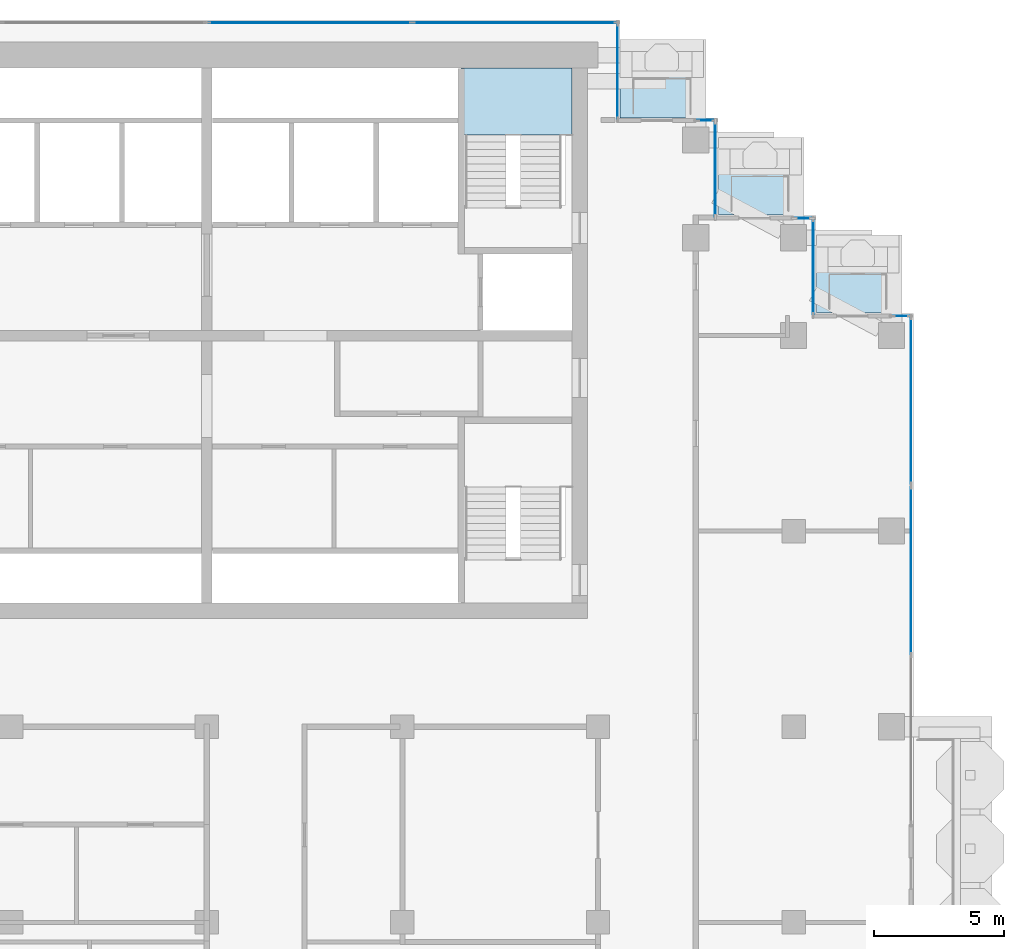
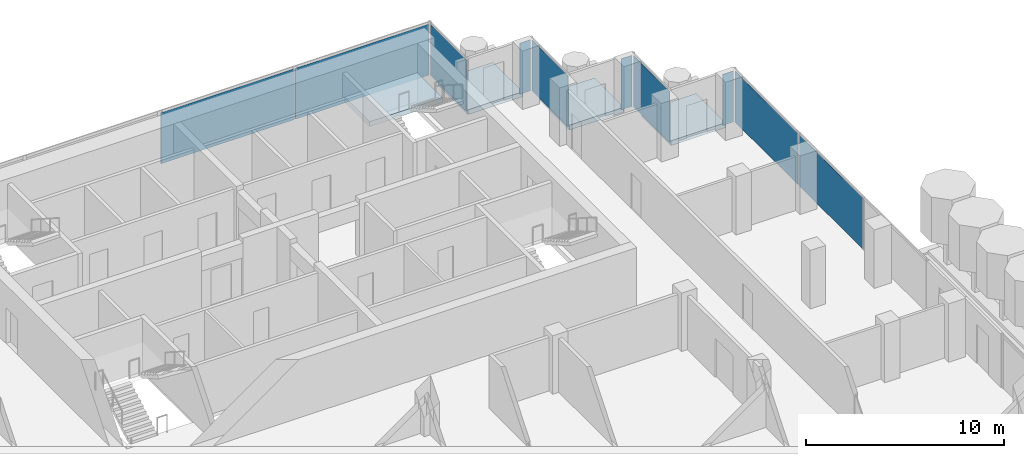
# One storey, part 10 of 18: 10 plates, 4 slabs, 10 elements without a shape of their own.
"""IFC4 building model written with IfcOpenShell, lengths in metres."""

from ifc_helpers import new_model, si_unit, direction, frame, origin, origin_2d, place, context, subcontext, project, spatial, polyline, rectangle, outline, extrude, material, layer, layer_set, type_object, element, aggregate, save


model = new_model("IFC4")

# Units and contexts
model_context = context("Model", 3, precision=1e-05, world=origin(), true_north=direction((0.0, 1.0)))
body_context = subcontext(model_context, "Body", "Model", "MODEL_VIEW")
ifc_project = project(units=[si_unit("LENGTHUNIT", "METRE"), si_unit("AREAUNIT", "SQUARE_METRE"), si_unit("VOLUMEUNIT", "CUBIC_METRE"), si_unit("PLANEANGLEUNIT", "RADIAN"), si_unit("MASSUNIT", "GRAM", prefix="KILO")], contexts=[model_context])

# Site, building, storey
site_placement = place(None, origin())
site = spatial("IfcSite", under=ifc_project, at=site_placement, CompositionType="ELEMENT")
building_placement = place(site_placement, origin())
building = spatial("IfcBuilding", under=site, at=building_placement, Name="Pilkhan Gate Tower", CompositionType="ELEMENT")
storey_placement = place(building_placement, frame((0.0, 0.0, 199.5)))
storey = spatial("IfcBuildingStorey", under=building, at=storey_placement, Name="L51", CompositionType="ELEMENT", Elevation=199.5)

# Slabs
ifc_material_1 = material(Name="Concrete C60/75", Category="concrete")
ifc_layer_1 = layer(ifc_material_1, 0.300048828125)
ifc_layer_set_1 = layer_set([ifc_layer_1], Name="Balcony tray slab TR300")
slab_type_1 = type_object("IfcSlabType", Name="Balcony tray slab TR300", PredefinedType="FLOOR", material=ifc_layer_set_1)
slab_1_placement = place(storey_placement, frame((0.0, 0.0, -0.300048828125)))
element("IfcSlab", 1, at=slab_1_placement, inside=storey, type_object=slab_type_1, Name="Balcony tray L51 N", PredefinedType="FLOOR", context=body_context, shape_type="SweptSolid", body=[
    extrude(outline(polyline([(94.050048828125, 90.85009765625), (94.050048828125, 93.85009765625), (90.85009765625, 93.85009765625), (90.85009765625, 90.85009765625), (94.050048828125, 90.85009765625)])), origin(), (0.0, 0.0, 1.0), 0.300048828125),
])
slab_2_placement = place(storey_placement, frame((0.0, 0.0, -0.300048828125)))
element("IfcSlab", 2, at=slab_2_placement, inside=storey, type_object=slab_type_1, Name="Balcony tray L51 N", PredefinedType="FLOOR", context=body_context, shape_type="SweptSolid", body=[
    extrude(outline(polyline([(97.800048828125, 87.1201171875), (97.800048828125, 90.10009765625), (94.6201171875, 90.10009765625), (94.6201171875, 87.1201171875), (97.800048828125, 87.1201171875)])), origin(), (0.0, 0.0, 1.0), 0.300048828125),
])
slab_3_placement = place(storey_placement, frame((0.0, 0.0, -0.300048828125)))
element("IfcSlab", 3, at=slab_3_placement, inside=storey, type_object=slab_type_1, Name="Balcony tray L51 N", PredefinedType="FLOOR", context=body_context, shape_type="SweptSolid", body=[
    extrude(outline(polyline([(101.550048828125, 83.3701171875), (101.550048828125, 86.35009765625), (98.3701171875, 86.35009765625), (98.3701171875, 83.3701171875), (101.550048828125, 83.3701171875)])), origin(), (0.0, 0.0, 1.0), 0.300048828125),
])

# Curtain wall, plate
ifc_material_2 = material(Name="Pale anodised aluminium, clear low-iron double glazing", Category="aluminium")
curtain_wall_type = type_object("IfcCurtainWallType", Name="Office unitised curtain wall CW-O2", PredefinedType="USERDEFINED", material=ifc_material_2)
curtain_wall_1_placement = place(storey_placement, origin())
curtain_wall_1 = element("IfcCurtainWall", 4, at=curtain_wall_1_placement, inside=storey, type_object=curtain_wall_type, Name="Office unitised curtain wall CW-O2 L51 E", ObjectType="UNITISED CURTAIN WALL", PredefinedType="USERDEFINED")
ifc_material_3 = material(Name="Clear low-iron double glazing", Category="glass")
ifc_layer_2 = layer(ifc_material_3, 0.031982421875)
ifc_layer_set_2 = layer_set([ifc_layer_2], Name="Glass panel CW-O2 32")
plate_type = type_object("IfcPlateType", Name="Glass panel CW-O2 32", PredefinedType="CURTAIN_PANEL", material=ifc_layer_set_2)
plate_1_placement = place(storey_placement, frame((102.0, 73.483642578125, 0.0), z_axis=(0.0, 0.0, 1.0), x_axis=(0.0, 1.0, 0.0)))
plate_1 = element("IfcPlate", 5, at=plate_1_placement, type_object=plate_type, Name="CW-O2 panel 2", PredefinedType="CURTAIN_PANEL", context=body_context, shape_type="SweptSolid", body=[
    extrude(rectangle(XDim=6.402587890625, YDim=0.031982421875, at=origin_2d()), origin(), (0.0, 0.0, 1.0), 3.135009765625),
])
aggregate(curtain_wall_1, [plate_1])

curtain_wall_2_placement = place(storey_placement, origin())
curtain_wall_2 = element("IfcCurtainWall", 6, at=curtain_wall_2_placement, inside=storey, type_object=curtain_wall_type, Name="Office unitised curtain wall CW-O2 L51 E", ObjectType="UNITISED CURTAIN WALL", PredefinedType="USERDEFINED")
plate_2_placement = place(storey_placement, frame((102.0, 80.0, 0.0), z_axis=(0.0, 0.0, 1.0), x_axis=(0.0, 1.0, 0.0)))
plate_2 = element("IfcPlate", 7, at=plate_2_placement, type_object=plate_type, Name="CW-O2 panel 1", PredefinedType="CURTAIN_PANEL", context=body_context, shape_type="SweptSolid", body=[
    extrude(rectangle(XDim=6.3701171875, YDim=0.031982421875, at=origin_2d()), origin(), (0.0, 0.0, 1.0), 3.135009765625),
])
aggregate(curtain_wall_2, [plate_2])

curtain_wall_3_placement = place(storey_placement, origin())
curtain_wall_3 = element("IfcCurtainWall", 8, at=curtain_wall_3_placement, inside=storey, type_object=curtain_wall_type, Name="Office unitised curtain wall CW-O2 L51 N", ObjectType="UNITISED CURTAIN WALL", PredefinedType="USERDEFINED")
plate_3_placement = place(storey_placement, frame((101.625, 83.25, 0.0), z_axis=(0.0, 0.0, 1.0), x_axis=(1.0, 0.0, 0.0)))
plate_3 = element("IfcPlate", 9, at=plate_3_placement, type_object=plate_type, Name="CW-O2 panel 1", PredefinedType="CURTAIN_PANEL", context=body_context, shape_type="SweptSolid", body=[
    extrude(rectangle(XDim=0.6201171875, YDim=0.031982421875, at=origin_2d()), origin(), (0.0, 0.0, 1.0), 3.135009765625),
])
aggregate(curtain_wall_3, [plate_3])

curtain_wall_4_placement = place(storey_placement, origin())
curtain_wall_4 = element("IfcCurtainWall", 10, at=curtain_wall_4_placement, inside=storey, type_object=curtain_wall_type, Name="Office unitised curtain wall CW-O2 L51 E", ObjectType="UNITISED CURTAIN WALL", PredefinedType="USERDEFINED")
plate_4_placement = place(storey_placement, frame((98.25, 85.125, 0.0), z_axis=(0.0, 0.0, 1.0), x_axis=(0.0, 1.0, 0.0)))
plate_4 = element("IfcPlate", 11, at=plate_4_placement, type_object=plate_type, Name="CW-O2 panel 1", PredefinedType="CURTAIN_PANEL", context=body_context, shape_type="SweptSolid", body=[
    extrude(rectangle(XDim=3.6201171875, YDim=0.031982421875, at=origin_2d()), origin(), (0.0, 0.0, 1.0), 3.135009765625),
])
aggregate(curtain_wall_4, [plate_4])

curtain_wall_5_placement = place(storey_placement, origin())
curtain_wall_5 = element("IfcCurtainWall", 12, at=curtain_wall_5_placement, inside=storey, type_object=curtain_wall_type, Name="Office unitised curtain wall CW-O2 L51 N", ObjectType="UNITISED CURTAIN WALL", PredefinedType="USERDEFINED")
plate_5_placement = place(storey_placement, frame((97.875, 87.0, 0.0), z_axis=(0.0, 0.0, 1.0), x_axis=(1.0, 0.0, 0.0)))
plate_5 = element("IfcPlate", 13, at=plate_5_placement, type_object=plate_type, Name="CW-O2 panel 1", PredefinedType="CURTAIN_PANEL", context=body_context, shape_type="SweptSolid", body=[
    extrude(rectangle(XDim=0.6201171875, YDim=0.031982421875, at=origin_2d()), origin(), (0.0, 0.0, 1.0), 3.135009765625),
])
aggregate(curtain_wall_5, [plate_5])

curtain_wall_6_placement = place(storey_placement, origin())
curtain_wall_6 = element("IfcCurtainWall", 14, at=curtain_wall_6_placement, inside=storey, type_object=curtain_wall_type, Name="Office unitised curtain wall CW-O2 L51 E", ObjectType="UNITISED CURTAIN WALL", PredefinedType="USERDEFINED")
plate_6_placement = place(storey_placement, frame((94.5, 88.875, 0.0), z_axis=(0.0, 0.0, 1.0), x_axis=(0.0, 1.0, 0.0)))
plate_6 = element("IfcPlate", 15, at=plate_6_placement, type_object=plate_type, Name="CW-O2 panel 1", PredefinedType="CURTAIN_PANEL", context=body_context, shape_type="SweptSolid", body=[
    extrude(rectangle(XDim=3.6201171875, YDim=0.031982421875, at=origin_2d()), origin(), (0.0, 0.0, 1.0), 3.135009765625),
])
aggregate(curtain_wall_6, [plate_6])

curtain_wall_7_placement = place(storey_placement, origin())
curtain_wall_7 = element("IfcCurtainWall", 16, at=curtain_wall_7_placement, inside=storey, type_object=curtain_wall_type, Name="Office unitised curtain wall CW-O2 L51 N", ObjectType="UNITISED CURTAIN WALL", PredefinedType="USERDEFINED")
plate_7_placement = place(storey_placement, frame((94.125, 90.75, 0.0), z_axis=(0.0, 0.0, 1.0), x_axis=(1.0, 0.0, 0.0)))
plate_7 = element("IfcPlate", 17, at=plate_7_placement, type_object=plate_type, Name="CW-O2 panel 1", PredefinedType="CURTAIN_PANEL", context=body_context, shape_type="SweptSolid", body=[
    extrude(rectangle(XDim=0.6201171875, YDim=0.031982421875, at=origin_2d()), origin(), (0.0, 0.0, 1.0), 3.135009765625),
])
aggregate(curtain_wall_7, [plate_7])

curtain_wall_8_placement = place(storey_placement, origin())
curtain_wall_8 = element("IfcCurtainWall", 18, at=curtain_wall_8_placement, inside=storey, type_object=curtain_wall_type, Name="Office unitised curtain wall CW-O2 L51 E", ObjectType="UNITISED CURTAIN WALL", PredefinedType="USERDEFINED")
plate_8_placement = place(storey_placement, frame((90.75, 92.625, 0.0), z_axis=(0.0, 0.0, 1.0), x_axis=(0.0, 1.0, 0.0)))
plate_8 = element("IfcPlate", 19, at=plate_8_placement, type_object=plate_type, Name="CW-O2 panel 1", PredefinedType="CURTAIN_PANEL", context=body_context, shape_type="SweptSolid", body=[
    extrude(rectangle(XDim=3.6201171875, YDim=0.031982421875, at=origin_2d()), origin(), (0.0, 0.0, 1.0), 3.135009765625),
])
aggregate(curtain_wall_8, [plate_8])

# Curtain wall, plates
curtain_wall_9_placement = place(storey_placement, origin())
curtain_wall_9 = element("IfcCurtainWall", 20, at=curtain_wall_9_placement, inside=storey, type_object=curtain_wall_type, Name="Office unitised curtain wall CW-O2 L51 N", ObjectType="UNITISED CURTAIN WALL", PredefinedType="USERDEFINED")
plate_9_placement = place(storey_placement, frame((78.953857421875, 94.5, 0.0), z_axis=(0.0, 0.0, 1.0), x_axis=(1.0, 0.0, 0.0)))
plate_9 = element("IfcPlate", 21, at=plate_9_placement, type_object=plate_type, Name="CW-O2 panel 1", PredefinedType="CURTAIN_PANEL", context=body_context, shape_type="SweptSolid", body=[
    extrude(rectangle(XDim=7.777587890625, YDim=0.031982421875, at=origin_2d()), origin(), (0.0, 0.0, 1.0), 3.135009765625),
])
plate_10_placement = place(storey_placement, frame((86.796142578125, 94.5, 0.0), z_axis=(0.0, 0.0, 1.0), x_axis=(1.0, 0.0, 0.0)))
plate_10 = element("IfcPlate", 22, at=plate_10_placement, type_object=plate_type, Name="CW-O2 panel 2", PredefinedType="CURTAIN_PANEL", context=body_context, shape_type="SweptSolid", body=[
    extrude(rectangle(XDim=7.777587890625, YDim=0.031982421875, at=origin_2d()), origin(), (0.0, 0.0, 1.0), 3.135009765625),
])
aggregate(curtain_wall_9, [plate_9, plate_10])

# Stair, slab
ifc_material_4 = material(Name="Concrete C40/50 precast", Category="concrete")
stair_type = type_object("IfcStairType", Name="Stair ST4 164x280", PredefinedType="HALF_TURN_STAIR", material=ifc_material_4)
stair_placement = place(storey_placement, origin())
stair = element("IfcStair", 23, at=stair_placement, inside=storey, type_object=stair_type, Name="Stair ST4 L51", PredefinedType="HALF_TURN_STAIR")
ifc_material_5 = material(Name="Concrete C40/50", Category="concrete")
ifc_layer_3 = layer(ifc_material_5, 0.199951171875)
ifc_layer_set_3 = layer_set([ifc_layer_3], Name="Stair landing SL200")
slab_type_2 = type_object("IfcSlabType", Name="Stair landing SL200", PredefinedType="LANDING", material=ifc_layer_set_3)
slab_4_placement = place(storey_placement, frame((0.0, 0.0, 1.5)))
slab_4 = element("IfcSlab", 24, at=slab_4_placement, type_object=slab_type_2, Name="ST4 landing 1", PredefinedType="LANDING", context=body_context, shape_type="SweptSolid", body=[
    extrude(outline(polyline([(89.0, 90.199951171875), (89.0, 92.75), (84.75, 92.75), (84.75, 90.199951171875), (89.0, 90.199951171875)])), origin(), (0.0, 0.0, 1.0), 0.300048828125),
])
aggregate(stair, [slab_4])

save(model, "model.ifc")
